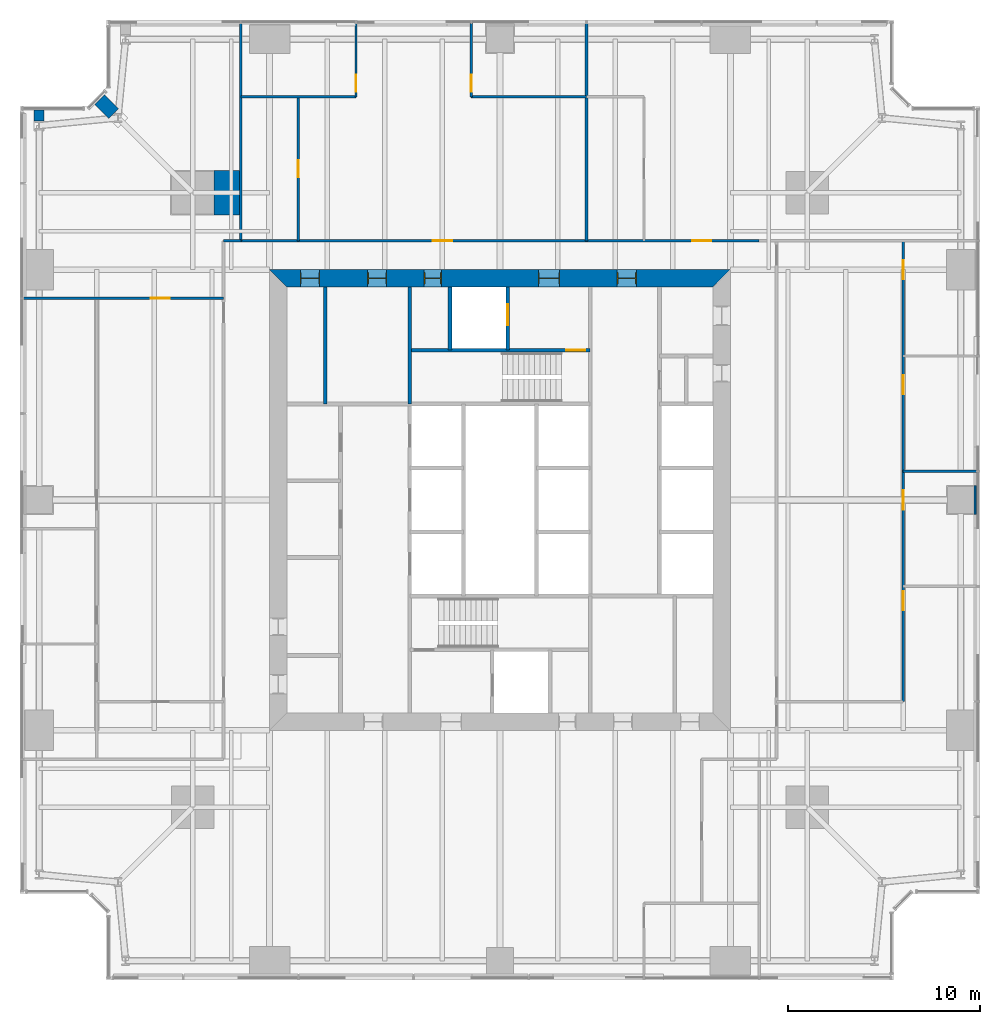
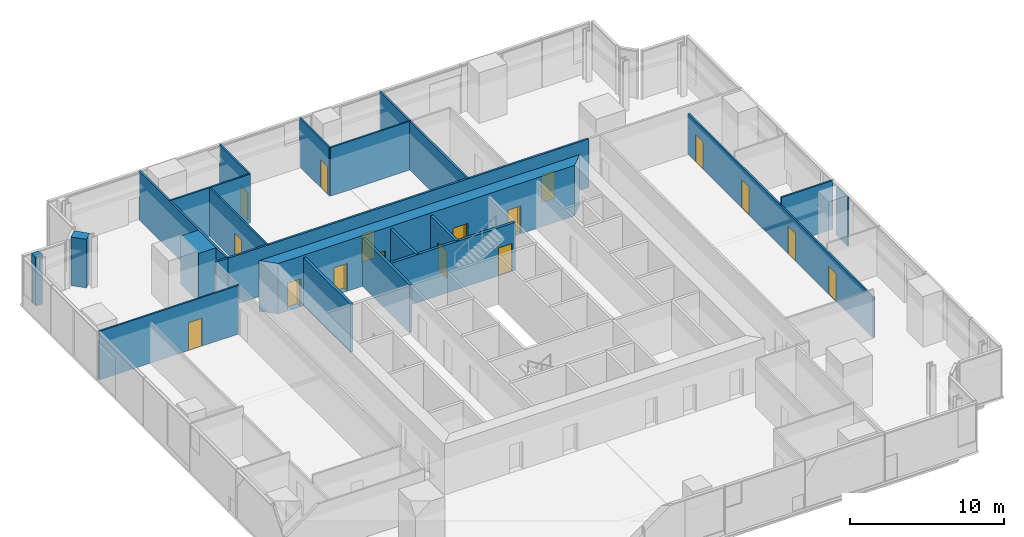
# One storey, part 11 of 14: 22 walls, 17 doors, 17 openings.
"""IFC4 building model written with IfcOpenShell, lengths in metres."""

from ifc_helpers import new_model, si_unit, direction, frame, frame_2d, origin, place, context, subcontext, project, spatial, polyline, rectangle, outline, extrude, material, layer, layer_set, type_object, element, fill, save


model = new_model("IFC4")

# Units and contexts
model_context = context("Model", 3, precision=1e-05, world=origin(), true_north=direction((0.0, 1.0)))
body_context = subcontext(model_context, "Body", "Model", "MODEL_VIEW")
ifc_project = project(units=[si_unit("LENGTHUNIT", "METRE"), si_unit("AREAUNIT", "SQUARE_METRE"), si_unit("VOLUMEUNIT", "CUBIC_METRE"), si_unit("PLANEANGLEUNIT", "RADIAN"), si_unit("MASSUNIT", "GRAM", prefix="KILO")], contexts=[model_context])

# Site, building, storey
site_placement = place(None, origin())
site = spatial("IfcSite", under=ifc_project, at=site_placement, CompositionType="ELEMENT")
building_placement = place(site_placement, origin())
building = spatial("IfcBuilding", under=site, at=building_placement, Name="Fenwick Lantern Interchange", CompositionType="ELEMENT")
storey_placement = place(building_placement, frame((0.0, 0.0, 118.39990234375)))
storey = spatial("IfcBuildingStorey", under=building, at=storey_placement, Name="L27", CompositionType="ELEMENT", Elevation=118.39990234375)

# Walls
ifc_material_1 = material(Name="Fire-rated gypsum board encasement on steel studs, 2 hour", Category="steel")
ifc_layer_1 = layer(ifc_material_1, 1.5)
ifc_layer_set_1 = layer_set([ifc_layer_1], Name="COLUMN PIER 1500")
wall_type_1 = type_object("IfcWallType", Name="COLUMN PIER 1500", PredefinedType="PARTITIONING", material=ifc_layer_set_1)
wall_1_placement = place(storey_placement, frame((49.800048828125, 25.0, 0.0), z_axis=(0.0, 0.0, 1.0), x_axis=(-1.0, 0.0, 0.0)))
element("IfcWall", 1, at=wall_1_placement, inside=storey, type_object=wall_type_1, Name="L27/W/PIER/CE3", PredefinedType="PARTITIONING", context=body_context, shape_type="SweptSolid", body=[
    extrude(rectangle(XDim=0.10009765625, YDim=1.5, at=frame_2d((0.050048828125, 0.0))), origin(), (0.0, 0.0, 1.0), 3.85009765625),
])
ifc_layer_2 = layer(ifc_material_1, 2.300048828125)
ifc_layer_set_2 = layer_set([ifc_layer_2], Name="COLUMN PIER 2300")
wall_type_2 = type_object("IfcWallType", Name="COLUMN PIER 2300", PredefinedType="PARTITIONING", material=ifc_layer_set_2)
wall_2_placement = place(storey_placement, frame((11.425048828125, 41.0, 0.0), z_axis=(0.0, 0.0, 1.0), x_axis=(-1.0, 0.0, 0.0)))
element("IfcWall", 2, at=wall_2_placement, inside=storey, type_object=wall_type_2, Name="L27/W/PIER/M4", PredefinedType="PARTITIONING", context=body_context, shape_type="SweptSolid", body=[
    extrude(rectangle(XDim=1.324951171875, YDim=2.300048828125, at=frame_2d((0.66259765625, 0.0))), origin(), (0.0, 0.0, 1.0), 3.85009765625),
])
ifc_layer_3 = layer(ifc_material_1, 0.52392578125)
ifc_layer_set_3 = layer_set([ifc_layer_3], Name="COLUMN PIER 524")
wall_type_3 = type_object("IfcWallType", Name="COLUMN PIER 524", PredefinedType="PARTITIONING", material=ifc_layer_set_3)
wall_3_placement = place(storey_placement, frame((1.0, 45.300048828125, 0.0), z_axis=(0.0, 0.0, 1.0), x_axis=(0.0, -1.0, 0.0)))
element("IfcWall", 3, at=wall_3_placement, inside=storey, type_object=wall_type_3, Name="L27/W/PIER/CW1", PredefinedType="PARTITIONING", context=body_context, shape_type="SweptSolid", body=[
    extrude(rectangle(XDim=0.5625, YDim=0.52392578125, at=frame_2d((0.28125, 0.0))), origin(), (0.0, 0.0, 1.0), 3.85009765625),
])
ifc_layer_4 = layer(ifc_material_1, 0.736083984375)
ifc_layer_set_4 = layer_set([ifc_layer_4], Name="COLUMN PIER 736")
wall_type_4 = type_object("IfcWallType", Name="COLUMN PIER 736", PredefinedType="PARTITIONING", material=ifc_layer_set_4)
wall_4_placement = place(storey_placement, frame((4.141357421875, 45.858642578125, 0.0), z_axis=(0.0, 0.0, 1.0), x_axis=(0.707106781187, -0.707106781187, 0.0)))
element("IfcWall", 4, at=wall_4_placement, inside=storey, type_object=wall_type_4, Name="L27/W/PIER/CNR", PredefinedType="PARTITIONING", context=body_context, shape_type="SweptSolid", body=[
    extrude(rectangle(XDim=1.037841796875, YDim=0.736083984375, at=frame_2d((0.51904296875, 0.0))), origin(), (0.0, 0.0, 1.0), 3.85009765625),
])

# Wall, opening, door
ifc_material_2 = material(Name="Concrete masonry ASTM C90 Grade N", Category="masonry")
ifc_layer_5 = layer(ifc_material_2, 0.199951171875)
ifc_layer_set_5 = layer_set([ifc_layer_5], Name="Concrete masonry ASTM C90 Grade N")
wall_type_5 = type_object("IfcWallType", Name="CORE PARTITION 200", PredefinedType="PARTITIONING", material=ifc_layer_set_5)
wall_5_placement = place(storey_placement, frame((25.39990234375, 36.10009765625, 0.0), z_axis=(0.0, 0.0, 1.0), x_axis=(0.0, -1.0, 0.0)))
wall_5 = element("IfcWall", 5, at=wall_5_placement, inside=storey, type_object=wall_type_5, Name="L27/W/COREN/h1", PredefinedType="PARTITIONING", context=body_context, shape_type="SweptSolid", body=[
    extrude(rectangle(XDim=3.300048828125, YDim=0.199951171875, at=frame_2d((1.64990234375, 0.0))), origin(), (0.0, 0.0, 1.0), 3.800048828125),
])
opening_1_placement = place(wall_5_placement, frame((0.89990234375, 0.0, 0.0)))
opening_1 = element("IfcOpeningElement", 6, at=opening_1_placement, cuts=wall_5, Name="Opening LD-FL2", PredefinedType="OPENING", context=body_context, shape_type="SweptSolid", body=[
    extrude(rectangle(XDim=1.10009765625, YDim=2.199951171875, at=frame_2d((0.550048828125, 1.10009765625))), frame((0.0, 0.10986328125, 0.0), z_axis=(0.0, -1.0, 0.0), x_axis=(1.0, 0.0, 0.0)), (0.0, 0.0, 1.0), 0.219970703125),
])
ifc_material_3 = material(Name="Steel door and frame", Category="steel")
door_type_1 = type_object("IfcDoorType", Name="LIFT LANDING DOOR 1100 X 2200", OperationType="DOUBLE_DOOR_SLIDING", PredefinedType="DOOR", material=ifc_material_3)
door_1_placement = place(opening_1_placement, origin())
door_1 = element("IfcDoor", 7, at=door_1_placement, inside=storey, type_object=door_type_1, Name="Lift landing door FL2", OperationType="DOUBLE_DOOR_SLIDING", OverallHeight=2.199951171875, OverallWidth=1.10009765625, PredefinedType="DOOR", context=body_context, shape_type="SweptSolid", body=[
    extrude(rectangle(XDim=1.10009765625, YDim=2.199951171875, at=frame_2d((0.550048828125, 1.10009765625))), frame((0.0, 0.02490234375, 0.0), z_axis=(0.0, -1.0, 0.0), x_axis=(1.0, 0.0, 0.0)), (0.0, 0.0, 1.0), 0.050048828125),
])
fill(opening_1, door_1)

# Walls
wall_6_placement = place(storey_placement, frame((22.39990234375, 36.10009765625, 0.0), z_axis=(0.0, 0.0, 1.0), x_axis=(0.0, -1.0, 0.0)))
element("IfcWall", 8, at=wall_6_placement, inside=storey, type_object=wall_type_5, Name="L27/W/COREN/h2", PredefinedType="PARTITIONING", context=body_context, shape_type="SweptSolid", body=[
    extrude(rectangle(XDim=3.300048828125, YDim=0.199951171875, at=frame_2d((1.64990234375, 0.0))), origin(), (0.0, 0.0, 1.0), 3.800048828125),
])
wall_7_placement = place(storey_placement, frame((15.89990234375, 36.10009765625, 0.0), z_axis=(0.0, 0.0, 1.0), x_axis=(0.0, -1.0, 0.0)))
element("IfcWall", 9, at=wall_7_placement, inside=storey, type_object=wall_type_5, Name="L27/W/COREN/i2", PredefinedType="PARTITIONING", context=body_context, shape_type="SweptSolid", body=[
    extrude(rectangle(XDim=6.10009765625, YDim=0.199951171875, at=frame_2d((3.050048828125, 0.0))), origin(), (0.0, 0.0, 1.0), 3.800048828125),
])

# Wall, openings, doors
ifc_material_4 = material(Name="Concrete f'c 70 MPa", Category="concrete")
ifc_layer_6 = layer(ifc_material_4, 0.89990234375)
ifc_layer_set_6 = layer_set([ifc_layer_6], Name="CORE WALL 900")
wall_type_6 = type_object("IfcWallType", Name="CORE WALL 900", PredefinedType="SHEAR", material=ifc_layer_set_6)
wall_8_placement = place(storey_placement, frame((37.0, 36.550048828125, 0.0), z_axis=(0.0, 0.0, 1.0), x_axis=(-1.0, 0.0, 0.0)))
wall_8 = element("IfcWall", 10, at=wall_8_placement, inside=storey, type_object=wall_type_6, Name="L27/CORE/N", PredefinedType="SHEAR", context=body_context, shape_type="SweptSolid", body=[
    extrude(outline(polyline([(0.0, -0.449951171875), (24.0, -0.449951171875), (23.10009765625, 0.449951171875), (0.89990234375, 0.449951171875), (0.0, -0.449951171875)])), origin(), (0.0, 0.0, 1.0), 4.0),
])
opening_2_placement = place(wall_8_placement, frame((4.89990234375, 0.0, 0.0)))
opening_2 = element("IfcOpeningElement", 11, at=opening_2_placement, cuts=wall_8, Name="Opening L27-D011", PredefinedType="OPENING", context=body_context, shape_type="SweptSolid", body=[
    extrude(rectangle(XDim=1.0, YDim=2.199951171875, at=frame_2d((0.5, 1.10009765625))), frame((0.0, 0.4599609375, 0.0), z_axis=(0.0, -1.0, 0.0), x_axis=(1.0, 0.0, 0.0)), (0.0, 0.0, 1.0), 0.919921875),
])
opening_3_placement = place(wall_8_placement, frame((8.89990234375, 0.0, 0.0)))
opening_3 = element("IfcOpeningElement", 12, at=opening_3_placement, cuts=wall_8, Name="Opening L27-D012", PredefinedType="OPENING", context=body_context, shape_type="SweptSolid", body=[
    extrude(rectangle(XDim=1.10009765625, YDim=2.199951171875, at=frame_2d((0.550048828125, 1.10009765625))), frame((0.0, 0.4599609375, 0.0), z_axis=(0.0, -1.0, 0.0), x_axis=(1.0, 0.0, 0.0)), (0.0, 0.0, 1.0), 0.919921875),
])
opening_4_placement = place(wall_8_placement, frame((15.050048828125, 0.0, 0.0)))
opening_4 = element("IfcOpeningElement", 13, at=opening_4_placement, cuts=wall_8, Name="Opening L27-D014", PredefinedType="OPENING", context=body_context, shape_type="SweptSolid", body=[
    extrude(rectangle(XDim=0.89990234375, YDim=2.199951171875, at=frame_2d((0.449951171875, 1.10009765625))), frame((0.0, 0.4599609375, 0.0), z_axis=(0.0, -1.0, 0.0), x_axis=(1.0, 0.0, 0.0)), (0.0, 0.0, 1.0), 0.919921875),
])
opening_5_placement = place(wall_8_placement, frame((17.89990234375, 0.0, 0.0)))
opening_5 = element("IfcOpeningElement", 14, at=opening_5_placement, cuts=wall_8, Name="Opening L27-D015", PredefinedType="OPENING", context=body_context, shape_type="SweptSolid", body=[
    extrude(rectangle(XDim=1.0, YDim=2.199951171875, at=frame_2d((0.5, 1.10009765625))), frame((0.0, 0.4599609375, 0.0), z_axis=(0.0, -1.0, 0.0), x_axis=(1.0, 0.0, 0.0)), (0.0, 0.0, 1.0), 0.919921875),
])
opening_6_placement = place(wall_8_placement, frame((21.39990234375, 0.0, 0.0)))
opening_6 = element("IfcOpeningElement", 15, at=opening_6_placement, cuts=wall_8, Name="Opening L27-D016", PredefinedType="OPENING", context=body_context, shape_type="SweptSolid", body=[
    extrude(rectangle(XDim=1.0, YDim=2.199951171875, at=frame_2d((0.5, 1.10009765625))), frame((0.0, 0.4599609375, 0.0), z_axis=(0.0, -1.0, 0.0), x_axis=(1.0, 0.0, 0.0)), (0.0, 0.0, 1.0), 0.919921875),
])
door_type_2 = type_object("IfcDoorType", Name="CORE LOBBY DOOR 1000 X 2200", OperationType="SINGLE_SWING_LEFT", PredefinedType="DOOR", material=ifc_material_3)
door_2_placement = place(opening_2_placement, origin())
door_2 = element("IfcDoor", 16, at=door_2_placement, inside=storey, type_object=door_type_2, Name="Core lobby door", OperationType="SINGLE_SWING_LEFT", OverallHeight=2.199951171875, OverallWidth=1.0, PredefinedType="DOOR", context=body_context, shape_type="SweptSolid", body=[
    extrude(rectangle(XDim=1.0, YDim=2.199951171875, at=frame_2d((0.5, 1.10009765625))), frame((0.0, 0.02490234375, 0.0), z_axis=(0.0, -1.0, 0.0), x_axis=(1.0, 0.0, 0.0)), (0.0, 0.0, 1.0), 0.050048828125),
    extrude(outline(polyline([(0.0, 0.0), (0.0400390625, 0.0), (0.0400390625, 2.159912109375), (0.9599609375, 2.159912109375), (0.9599609375, 0.0), (1.0, 0.0), (1.0, 2.199951171875), (0.0, 2.199951171875), (0.0, 0.0)])), frame((0.0, 0.300048828125, 0.0), z_axis=(0.0, -1.0, 0.0), x_axis=(1.0, 0.0, 0.0)), (0.0, 0.0, 1.0), 0.60009765625),
])
fill(opening_2, door_2)
door_type_3 = type_object("IfcDoorType", Name="FIRE LOBBY DOOR 1100 X 2200", OperationType="SINGLE_SWING_LEFT", PredefinedType="DOOR", material=ifc_material_3)
door_3_placement = place(opening_3_placement, origin())
door_3 = element("IfcDoor", 17, at=door_3_placement, inside=storey, type_object=door_type_3, Name="Fire lobby door", OperationType="SINGLE_SWING_LEFT", OverallHeight=2.199951171875, OverallWidth=1.10009765625, PredefinedType="DOOR", context=body_context, shape_type="SweptSolid", body=[
    extrude(rectangle(XDim=1.10009765625, YDim=2.199951171875, at=frame_2d((0.550048828125, 1.10009765625))), frame((0.0, 0.02490234375, 0.0), z_axis=(0.0, -1.0, 0.0), x_axis=(1.0, 0.0, 0.0)), (0.0, 0.0, 1.0), 0.050048828125),
    extrude(outline(polyline([(0.0, 0.0), (0.0400390625, 0.0), (0.0400390625, 2.159912109375), (1.06005859375, 2.159912109375), (1.06005859375, 0.0), (1.10009765625, 0.0), (1.10009765625, 2.199951171875), (0.0, 2.199951171875), (0.0, 0.0)])), frame((0.0, 0.300048828125, 0.0), z_axis=(0.0, -1.0, 0.0), x_axis=(1.0, 0.0, 0.0)), (0.0, 0.0, 1.0), 0.60009765625),
])
fill(opening_3, door_3)
door_type_4 = type_object("IfcDoorType", Name="SERVICE DOOR 900 X 2200", OperationType="SINGLE_SWING_LEFT", PredefinedType="DOOR", material=ifc_material_3)
door_4_placement = place(opening_4_placement, origin())
door_4 = element("IfcDoor", 18, at=door_4_placement, inside=storey, type_object=door_type_4, Name="Service door", OperationType="SINGLE_SWING_LEFT", OverallHeight=2.199951171875, OverallWidth=0.89990234375, PredefinedType="DOOR", context=body_context, shape_type="SweptSolid", body=[
    extrude(rectangle(XDim=0.89990234375, YDim=2.199951171875, at=frame_2d((0.449951171875, 1.10009765625))), frame((0.0, 0.02490234375, 0.0), z_axis=(0.0, -1.0, 0.0), x_axis=(1.0, 0.0, 0.0)), (0.0, 0.0, 1.0), 0.050048828125),
    extrude(outline(polyline([(0.0, 0.0), (0.0400390625, 0.0), (0.0400390625, 2.159912109375), (0.85986328125, 2.159912109375), (0.85986328125, 0.0), (0.89990234375, 0.0), (0.89990234375, 2.199951171875), (0.0, 2.199951171875), (0.0, 0.0)])), frame((0.0, 0.300048828125, 0.0), z_axis=(0.0, -1.0, 0.0), x_axis=(1.0, 0.0, 0.0)), (0.0, 0.0, 1.0), 0.60009765625),
])
fill(opening_4, door_4)
ifc_material_5 = material(Name="Hardwood door and steel frame", Category="steel")
door_type_5 = type_object("IfcDoorType", Name="WC DOOR 1000 X 2200", OperationType="SINGLE_SWING_LEFT", PredefinedType="DOOR", material=ifc_material_5)
door_5_placement = place(opening_5_placement, origin())
door_5 = element("IfcDoor", 19, at=door_5_placement, inside=storey, type_object=door_type_5, Name="Wc door", OperationType="SINGLE_SWING_LEFT", OverallHeight=2.199951171875, OverallWidth=1.0, PredefinedType="DOOR", context=body_context, shape_type="SweptSolid", body=[
    extrude(rectangle(XDim=1.0, YDim=2.199951171875, at=frame_2d((0.5, 1.10009765625))), frame((0.0, 0.02490234375, 0.0), z_axis=(0.0, -1.0, 0.0), x_axis=(1.0, 0.0, 0.0)), (0.0, 0.0, 1.0), 0.050048828125),
    extrude(outline(polyline([(0.0, 0.0), (0.0400390625, 0.0), (0.0400390625, 2.159912109375), (0.9599609375, 2.159912109375), (0.9599609375, 0.0), (1.0, 0.0), (1.0, 2.199951171875), (0.0, 2.199951171875), (0.0, 0.0)])), frame((0.0, 0.300048828125, 0.0), z_axis=(0.0, -1.0, 0.0), x_axis=(1.0, 0.0, 0.0)), (0.0, 0.0, 1.0), 0.60009765625),
])
fill(opening_5, door_5)
door_6_placement = place(opening_6_placement, origin())
door_6 = element("IfcDoor", 20, at=door_6_placement, inside=storey, type_object=door_type_5, Name="Wc door", OperationType="SINGLE_SWING_LEFT", OverallHeight=2.199951171875, OverallWidth=1.0, PredefinedType="DOOR", context=body_context, shape_type="SweptSolid", body=[
    extrude(rectangle(XDim=1.0, YDim=2.199951171875, at=frame_2d((0.5, 1.10009765625))), frame((0.0, 0.02490234375, 0.0), z_axis=(0.0, -1.0, 0.0), x_axis=(1.0, 0.0, 0.0)), (0.0, 0.0, 1.0), 0.050048828125),
    extrude(outline(polyline([(0.0, 0.0), (0.0400390625, 0.0), (0.0400390625, 2.159912109375), (0.9599609375, 2.159912109375), (0.9599609375, 0.0), (1.0, 0.0), (1.0, 2.199951171875), (0.0, 2.199951171875), (0.0, 0.0)])), frame((0.0, 0.300048828125, 0.0), z_axis=(0.0, -1.0, 0.0), x_axis=(1.0, 0.0, 0.0)), (0.0, 0.0, 1.0), 0.60009765625),
])
fill(opening_6, door_6)

ifc_material_6 = material(Name="Gypsum board on steel studs, 1 hour", Category="steel")
ifc_layer_7 = layer(ifc_material_6, 0.14990234375)
ifc_layer_set_7 = layer_set([ifc_layer_7], Name="CORRIDOR WALL 150")
wall_type_7 = type_object("IfcWallType", Name="CORRIDOR WALL 150", PredefinedType="PARTITIONING", material=ifc_layer_set_7)
wall_9_placement = place(storey_placement, frame((38.5, 38.5, 0.0), z_axis=(0.0, 0.0, 1.0), x_axis=(-1.0, 0.0, 0.0)))
wall_9 = element("IfcWall", 21, at=wall_9_placement, inside=storey, type_object=wall_type_7, Name="L27/W/OFF/N/CW", PredefinedType="PARTITIONING", context=body_context, shape_type="SweptSolid", body=[
    extrude(rectangle(XDim=27.0, YDim=0.14990234375, at=frame_2d((13.5, 0.0))), origin(), (0.0, 0.0, 1.0), 3.85009765625),
])
opening_7_placement = place(wall_9_placement, frame((2.5, 0.0, 0.0)))
opening_7 = element("IfcOpeningElement", 22, at=opening_7_placement, cuts=wall_9, Name="Opening L27-D029", PredefinedType="OPENING", context=body_context, shape_type="SweptSolid", body=[
    extrude(rectangle(XDim=1.0, YDim=2.199951171875, at=frame_2d((0.5, 1.10009765625))), frame((0.0, 0.0849609375, 0.0), z_axis=(0.0, -1.0, 0.0), x_axis=(1.0, 0.0, 0.0)), (0.0, 0.0, 1.0), 0.169921875),
])
opening_8_placement = place(wall_9_placement, frame((16.0, 0.0, 0.0)))
opening_8 = element("IfcOpeningElement", 23, at=opening_8_placement, cuts=wall_9, Name="Opening L27-D031", PredefinedType="OPENING", context=body_context, shape_type="SweptSolid", body=[
    extrude(rectangle(XDim=1.0, YDim=2.199951171875, at=frame_2d((0.5, 1.10009765625))), frame((0.0, 0.0849609375, 0.0), z_axis=(0.0, -1.0, 0.0), x_axis=(1.0, 0.0, 0.0)), (0.0, 0.0, 1.0), 0.169921875),
])
door_type_6 = type_object("IfcDoorType", Name="SUITE ENTRANCE DOOR 1000 X 2200", OperationType="SINGLE_SWING_LEFT", PredefinedType="DOOR", material=ifc_material_3)
door_7_placement = place(opening_7_placement, frame((1.0, 0.0, 0.0), z_axis=(0.0, 0.0, 1.0), x_axis=(-1.0, 0.0, 0.0)))
door_7 = element("IfcDoor", 24, at=door_7_placement, inside=storey, type_object=door_type_6, Name="Suite entrance door", OperationType="SINGLE_SWING_LEFT", OverallHeight=2.199951171875, OverallWidth=1.0, PredefinedType="DOOR", context=body_context, shape_type="SweptSolid", body=[
    extrude(rectangle(XDim=1.0, YDim=2.199951171875, at=frame_2d((0.5, 1.10009765625))), frame((0.0, 0.02490234375, 0.0), z_axis=(0.0, -1.0, 0.0), x_axis=(1.0, 0.0, 0.0)), (0.0, 0.0, 1.0), 0.050048828125),
])
fill(opening_7, door_7)
door_8_placement = place(opening_8_placement, frame((1.0, 0.0, 0.0), z_axis=(0.0, 0.0, 1.0), x_axis=(-1.0, 0.0, 0.0)))
door_8 = element("IfcDoor", 25, at=door_8_placement, inside=storey, type_object=door_type_6, Name="Suite entrance door", OperationType="SINGLE_SWING_RIGHT", OverallHeight=2.199951171875, OverallWidth=1.0, PredefinedType="DOOR", context=body_context, shape_type="SweptSolid", body=[
    extrude(rectangle(XDim=1.0, YDim=2.199951171875, at=frame_2d((0.5, 1.10009765625))), frame((0.0, 0.02490234375, 0.0), z_axis=(0.0, -1.0, 0.0), x_axis=(1.0, 0.0, 0.0)), (0.0, 0.0, 1.0), 0.050048828125),
])
fill(opening_8, door_8)

# Walls
wall_10_placement = place(storey_placement, frame((11.5, 38.5, 0.0), z_axis=(0.0, 0.0, 1.0), x_axis=(-1.0, 0.0, 0.0)))
element("IfcWall", 26, at=wall_10_placement, inside=storey, type_object=wall_type_7, Name="L27/W/OFF/W/CWJ", PredefinedType="PARTITIONING", context=body_context, shape_type="SweptSolid", body=[
    extrude(rectangle(XDim=0.89990234375, YDim=0.14990234375, at=frame_2d((0.449951171875, 0.0))), origin(), (0.0, 0.0, 1.0), 3.85009765625),
])
ifc_material_7 = material(Name="Gypsum board on steel studs, acoustic", Category="steel")
ifc_layer_8 = layer(ifc_material_7, 0.125)
ifc_layer_set_8 = layer_set([ifc_layer_8], Name="OFFICE PARTITION 125")
wall_type_8 = type_object("IfcWallType", Name="OFFICE PARTITION 125", PredefinedType="PARTITIONING", material=ifc_layer_set_8)
wall_11_placement = place(storey_placement, frame((49.85009765625, 26.5, 0.0), z_axis=(0.0, 0.0, 1.0), x_axis=(-1.0, 0.0, 0.0)))
element("IfcWall", 27, at=wall_11_placement, inside=storey, type_object=wall_type_8, Name="L27/W/OFF/E/X265-1", PredefinedType="PARTITIONING", context=body_context, shape_type="SweptSolid", body=[
    extrude(rectangle(XDim=3.85009765625, YDim=0.125, at=frame_2d((1.925048828125, 0.0))), origin(), (0.0, 0.0, 1.0), 3.85009765625),
])

# Wall, openings, doors
wall_12_placement = place(storey_placement, frame((46.0, 14.5, 0.0), z_axis=(0.0, 0.0, 1.0), x_axis=(0.0, 1.0, 0.0)))
wall_12 = element("IfcWall", 28, at=wall_12_placement, inside=storey, type_object=wall_type_8, Name="L27/W/OFF/E/Y40-1", PredefinedType="PARTITIONING", context=body_context, shape_type="SweptSolid", body=[
    extrude(rectangle(XDim=24.0, YDim=0.125, at=frame_2d((12.0, 0.0))), origin(), (0.0, 0.0, 1.0), 3.238037109375),
])
opening_9_placement = place(wall_12_placement, frame((4.75, 0.0, 0.0)))
opening_9 = element("IfcOpeningElement", 29, at=opening_9_placement, cuts=wall_12, Name="Opening L27-D024", PredefinedType="OPENING", context=body_context, shape_type="SweptSolid", body=[
    extrude(rectangle(XDim=1.0, YDim=2.199951171875, at=frame_2d((0.5, 1.10009765625))), frame((0.0, 0.072509765625, 0.0), z_axis=(0.0, -1.0, 0.0), x_axis=(1.0, 0.0, 0.0)), (0.0, 0.0, 1.0), 0.14501953125),
])
opening_10_placement = place(wall_12_placement, frame((10.0, 0.0, 0.0)))
opening_10 = element("IfcOpeningElement", 30, at=opening_10_placement, cuts=wall_12, Name="Opening L27-D026", PredefinedType="OPENING", context=body_context, shape_type="SweptSolid", body=[
    extrude(rectangle(XDim=1.0, YDim=2.199951171875, at=frame_2d((0.5, 1.10009765625))), frame((0.0, 0.072509765625, 0.0), z_axis=(0.0, -1.0, 0.0), x_axis=(1.0, 0.0, 0.0)), (0.0, 0.0, 1.0), 0.14501953125),
])
opening_11_placement = place(wall_12_placement, frame((16.0, 0.0, 0.0)))
opening_11 = element("IfcOpeningElement", 31, at=opening_11_placement, cuts=wall_12, Name="Opening L27-D027", PredefinedType="OPENING", context=body_context, shape_type="SweptSolid", body=[
    extrude(rectangle(XDim=1.0, YDim=2.199951171875, at=frame_2d((0.5, 1.10009765625))), frame((0.0, 0.072509765625, 0.0), z_axis=(0.0, -1.0, 0.0), x_axis=(1.0, 0.0, 0.0)), (0.0, 0.0, 1.0), 0.14501953125),
])
opening_12_placement = place(wall_12_placement, frame((22.0, 0.0, 0.0)))
opening_12 = element("IfcOpeningElement", 32, at=opening_12_placement, cuts=wall_12, Name="Opening L27-D028", PredefinedType="OPENING", context=body_context, shape_type="SweptSolid", body=[
    extrude(rectangle(XDim=1.0, YDim=2.199951171875, at=frame_2d((0.5, 1.10009765625))), frame((0.0, 0.072509765625, 0.0), z_axis=(0.0, -1.0, 0.0), x_axis=(1.0, 0.0, 0.0)), (0.0, 0.0, 1.0), 0.14501953125),
])
door_type_7 = type_object("IfcDoorType", Name="MEETING ROOM DOOR 1000 X 2200", OperationType="SINGLE_SWING_LEFT", PredefinedType="DOOR", material=ifc_material_5)
door_9_placement = place(opening_9_placement, origin())
door_9 = element("IfcDoor", 33, at=door_9_placement, inside=storey, type_object=door_type_7, Name="Meeting room door", OperationType="SINGLE_SWING_LEFT", OverallHeight=2.199951171875, OverallWidth=1.0, PredefinedType="DOOR", context=body_context, shape_type="SweptSolid", body=[
    extrude(rectangle(XDim=1.0, YDim=2.199951171875, at=frame_2d((0.5, 1.10009765625))), frame((0.0, 0.02490234375, 0.0), z_axis=(0.0, -1.0, 0.0), x_axis=(1.0, 0.0, 0.0)), (0.0, 0.0, 1.0), 0.050048828125),
])
fill(opening_9, door_9)
door_10_placement = place(opening_10_placement, frame((1.0, 0.0, 0.0), z_axis=(0.0, 0.0, 1.0), x_axis=(-1.0, 0.0, 0.0)))
door_10 = element("IfcDoor", 34, at=door_10_placement, inside=storey, type_object=door_type_7, Name="Meeting room door", OperationType="SINGLE_SWING_LEFT", OverallHeight=2.199951171875, OverallWidth=1.0, PredefinedType="DOOR", context=body_context, shape_type="SweptSolid", body=[
    extrude(rectangle(XDim=1.0, YDim=2.199951171875, at=frame_2d((0.5, 1.10009765625))), frame((0.0, 0.02490234375, 0.0), z_axis=(0.0, -1.0, 0.0), x_axis=(1.0, 0.0, 0.0)), (0.0, 0.0, 1.0), 0.050048828125),
])
fill(opening_10, door_10)
door_11_placement = place(opening_11_placement, frame((1.0, 0.0, 0.0), z_axis=(0.0, 0.0, 1.0), x_axis=(-1.0, 0.0, 0.0)))
door_11 = element("IfcDoor", 35, at=door_11_placement, inside=storey, type_object=door_type_7, Name="Meeting room door", OperationType="SINGLE_SWING_LEFT", OverallHeight=2.199951171875, OverallWidth=1.0, PredefinedType="DOOR", context=body_context, shape_type="SweptSolid", body=[
    extrude(rectangle(XDim=1.0, YDim=2.199951171875, at=frame_2d((0.5, 1.10009765625))), frame((0.0, 0.02490234375, 0.0), z_axis=(0.0, -1.0, 0.0), x_axis=(1.0, 0.0, 0.0)), (0.0, 0.0, 1.0), 0.050048828125),
])
fill(opening_11, door_11)
door_12_placement = place(opening_12_placement, frame((1.0, 0.0, 0.0), z_axis=(0.0, 0.0, 1.0), x_axis=(-1.0, 0.0, 0.0)))
door_12 = element("IfcDoor", 36, at=door_12_placement, inside=storey, type_object=door_type_7, Name="Meeting room door", OperationType="SINGLE_SWING_LEFT", OverallHeight=2.199951171875, OverallWidth=1.0, PredefinedType="DOOR", context=body_context, shape_type="SweptSolid", body=[
    extrude(rectangle(XDim=1.0, YDim=2.199951171875, at=frame_2d((0.5, 1.10009765625))), frame((0.0, 0.02490234375, 0.0), z_axis=(0.0, -1.0, 0.0), x_axis=(1.0, 0.0, 0.0)), (0.0, 0.0, 1.0), 0.050048828125),
])
fill(opening_12, door_12)

# Wall, opening, door
wall_13_placement = place(storey_placement, frame((23.5, 49.85009765625, 0.0), z_axis=(0.0, 0.0, 1.0), x_axis=(0.0, -1.0, 0.0)))
wall_13 = element("IfcWall", 37, at=wall_13_placement, inside=storey, type_object=wall_type_8, Name="L27/W/OFF/N/X265-1", PredefinedType="PARTITIONING", context=body_context, shape_type="SweptSolid", body=[
    extrude(rectangle(XDim=3.85009765625, YDim=0.125, at=frame_2d((1.925048828125, 0.0))), origin(), (0.0, 0.0, 1.0), 3.85009765625),
])
opening_13_placement = place(wall_13_placement, frame((2.699951171875, 0.0, 0.0)))
opening_13 = element("IfcOpeningElement", 38, at=opening_13_placement, cuts=wall_13, Name="Opening L27-D032", PredefinedType="OPENING", context=body_context, shape_type="SweptSolid", body=[
    extrude(rectangle(XDim=0.89990234375, YDim=2.199951171875, at=frame_2d((0.449951171875, 1.10009765625))), frame((0.0, 0.072509765625, 0.0), z_axis=(0.0, -1.0, 0.0), x_axis=(1.0, 0.0, 0.0)), (0.0, 0.0, 1.0), 0.14501953125),
])
door_type_8 = type_object("IfcDoorType", Name="OFFICE DOOR 900 X 2200", OperationType="SINGLE_SWING_LEFT", PredefinedType="DOOR", material=ifc_material_5)
door_13_placement = place(opening_13_placement, origin())
door_13 = element("IfcDoor", 39, at=door_13_placement, inside=storey, type_object=door_type_8, Name="Office door", OperationType="SINGLE_SWING_RIGHT", OverallHeight=2.199951171875, OverallWidth=0.89990234375, PredefinedType="DOOR", context=body_context, shape_type="SweptSolid", body=[
    extrude(rectangle(XDim=0.89990234375, YDim=2.199951171875, at=frame_2d((0.449951171875, 1.10009765625))), frame((0.0, 0.02490234375, 0.0), z_axis=(0.0, -1.0, 0.0), x_axis=(1.0, 0.0, 0.0)), (0.0, 0.0, 1.0), 0.050048828125),
])
fill(opening_13, door_13)

wall_14_placement = place(storey_placement, frame((17.5, 49.85009765625, 0.0), z_axis=(0.0, 0.0, 1.0), x_axis=(0.0, -1.0, 0.0)))
wall_14 = element("IfcWall", 40, at=wall_14_placement, inside=storey, type_object=wall_type_8, Name="L27/W/OFF/N/X325-1", PredefinedType="PARTITIONING", context=body_context, shape_type="SweptSolid", body=[
    extrude(rectangle(XDim=3.85009765625, YDim=0.125, at=frame_2d((1.925048828125, 0.0))), origin(), (0.0, 0.0, 1.0), 3.85009765625),
])
opening_14_placement = place(wall_14_placement, frame((2.699951171875, 0.0, 0.0)))
opening_14 = element("IfcOpeningElement", 41, at=opening_14_placement, cuts=wall_14, Name="Opening L27-D033", PredefinedType="OPENING", context=body_context, shape_type="SweptSolid", body=[
    extrude(rectangle(XDim=0.89990234375, YDim=2.199951171875, at=frame_2d((0.449951171875, 1.10009765625))), frame((0.0, 0.072509765625, 0.0), z_axis=(0.0, -1.0, 0.0), x_axis=(1.0, 0.0, 0.0)), (0.0, 0.0, 1.0), 0.14501953125),
])
door_14_placement = place(opening_14_placement, frame((0.89990234375, 0.0, 0.0), z_axis=(0.0, 0.0, 1.0), x_axis=(-1.0, 0.0, 0.0)))
door_14 = element("IfcDoor", 42, at=door_14_placement, inside=storey, type_object=door_type_8, Name="Office door", OperationType="SINGLE_SWING_LEFT", OverallHeight=2.199951171875, OverallWidth=0.89990234375, PredefinedType="DOOR", context=body_context, shape_type="SweptSolid", body=[
    extrude(rectangle(XDim=0.89990234375, YDim=2.199951171875, at=frame_2d((0.449951171875, 1.10009765625))), frame((0.0, 0.02490234375, 0.0), z_axis=(0.0, -1.0, 0.0), x_axis=(1.0, 0.0, 0.0)), (0.0, 0.0, 1.0), 0.050048828125),
])
fill(opening_14, door_14)

wall_15_placement = place(storey_placement, frame((14.5, 46.0, 0.0), z_axis=(0.0, 0.0, 1.0), x_axis=(0.0, -1.0, 0.0)))
wall_15 = element("IfcWall", 43, at=wall_15_placement, inside=storey, type_object=wall_type_8, Name="L27/W/OFF/N/X355-1", PredefinedType="PARTITIONING", context=body_context, shape_type="SweptSolid", body=[
    extrude(rectangle(XDim=7.5, YDim=0.125, at=frame_2d((3.75, 0.0))), origin(), (0.0, 0.0, 1.0), 3.85009765625),
])
opening_15_placement = place(wall_15_placement, frame((3.300048828125, 0.0, 0.0)))
opening_15 = element("IfcOpeningElement", 44, at=opening_15_placement, cuts=wall_15, Name="Opening L27-D034", PredefinedType="OPENING", context=body_context, shape_type="SweptSolid", body=[
    extrude(rectangle(XDim=0.89990234375, YDim=2.199951171875, at=frame_2d((0.449951171875, 1.10009765625))), frame((0.0, 0.072509765625, 0.0), z_axis=(0.0, -1.0, 0.0), x_axis=(1.0, 0.0, 0.0)), (0.0, 0.0, 1.0), 0.14501953125),
])
door_15_placement = place(opening_15_placement, frame((0.89990234375, 0.0, 0.0), z_axis=(0.0, 0.0, 1.0), x_axis=(-1.0, 0.0, 0.0)))
door_15 = element("IfcDoor", 45, at=door_15_placement, inside=storey, type_object=door_type_8, Name="Office door", OperationType="SINGLE_SWING_RIGHT", OverallHeight=2.199951171875, OverallWidth=0.89990234375, PredefinedType="DOOR", context=body_context, shape_type="SweptSolid", body=[
    extrude(rectangle(XDim=0.89990234375, YDim=2.199951171875, at=frame_2d((0.449951171875, 1.10009765625))), frame((0.0, 0.02490234375, 0.0), z_axis=(0.0, -1.0, 0.0), x_axis=(1.0, 0.0, 0.0)), (0.0, 0.0, 1.0), 0.050048828125),
])
fill(opening_15, door_15)

# Walls
for number, where, z_axis, x_axis, name in (
    (46, (29.5, 46.0, 0.0), (0.0, 0.0, 1.0), (-1.0, 0.0, 0.0), "L27/W/OFF/N/Y40-2"),
    (47, (17.5, 46.0, 0.0), (0.0, 0.0, 1.0), (-1.0, 0.0, 0.0), "L27/W/OFF/N/Y40-3"),
):
    element("IfcWall", number, at=place(storey_placement, frame(where, z_axis=z_axis, x_axis=x_axis)), inside=storey, type_object=wall_type_8, Name=name, PredefinedType="PARTITIONING", context=body_context, shape_type="SweptSolid", body=[
        extrude(rectangle(XDim=6.0, YDim=0.125, at=frame_2d((3.0, 0.0))), origin(), (0.0, 0.0, 1.0), 3.85009765625),
    ])

# Wall, opening, door
wall_16_placement = place(storey_placement, frame((0.14990234375, 35.5, 0.0), z_axis=(0.0, 0.0, 1.0), x_axis=(1.0, 0.0, 0.0)))
wall_16 = element("IfcWall", 48, at=wall_16_placement, inside=storey, type_object=wall_type_8, Name="L27/W/OFF/W/X145-1", PredefinedType="PARTITIONING", context=body_context, shape_type="SweptSolid", body=[
    extrude(rectangle(XDim=10.4501953125, YDim=0.125, at=frame_2d((5.22509765625, 0.0))), origin(), (0.0, 0.0, 1.0), 3.85009765625),
])
opening_16_placement = place(wall_16_placement, frame((6.64990234375, 0.0, 0.0)))
opening_16 = element("IfcOpeningElement", 49, at=opening_16_placement, cuts=wall_16, Name="Opening L27-D037", PredefinedType="OPENING", context=body_context, shape_type="SweptSolid", body=[
    extrude(rectangle(XDim=1.0, YDim=2.199951171875, at=frame_2d((0.5, 1.10009765625))), frame((0.0, 0.072509765625, 0.0), z_axis=(0.0, -1.0, 0.0), x_axis=(1.0, 0.0, 0.0)), (0.0, 0.0, 1.0), 0.14501953125),
])
door_16_placement = place(opening_16_placement, origin())
door_16 = element("IfcDoor", 50, at=door_16_placement, inside=storey, type_object=door_type_7, Name="Meeting room door", OperationType="SINGLE_SWING_RIGHT", OverallHeight=2.199951171875, OverallWidth=1.0, PredefinedType="DOOR", context=body_context, shape_type="SweptSolid", body=[
    extrude(rectangle(XDim=1.0, YDim=2.199951171875, at=frame_2d((0.5, 1.10009765625))), frame((0.0, 0.02490234375, 0.0), z_axis=(0.0, -1.0, 0.0), x_axis=(1.0, 0.0, 0.0)), (0.0, 0.0, 1.0), 0.050048828125),
])
fill(opening_16, door_16)

ifc_material_8 = material(Name="Concrete f'c 45 MPa", Category="concrete")
ifc_layer_9 = layer(ifc_material_8, 0.199951171875)
ifc_layer_set_9 = layer_set([ifc_layer_9], Name="STAIR CORE WALL 200")
wall_type_9 = type_object("IfcWallType", Name="STAIR CORE WALL 200", PredefinedType="SOLIDWALL", material=ifc_layer_set_9)
wall_17_placement = place(storey_placement, frame((29.699951171875, 32.800048828125, 0.0), z_axis=(0.0, 0.0, 1.0), x_axis=(-1.0, 0.0, 0.0)))
wall_17 = element("IfcWall", 51, at=wall_17_placement, inside=storey, type_object=wall_type_9, Name="L27/W/COREN/g1", PredefinedType="SOLIDWALL", context=body_context, shape_type="SweptSolid", body=[
    extrude(rectangle(XDim=9.39990234375, YDim=0.199951171875, at=frame_2d((4.699951171875, 0.0))), origin(), (0.0, 0.0, 1.0), 3.800048828125),
])
opening_17_placement = place(wall_17_placement, frame((0.25, 0.0, 0.0)))
opening_17 = element("IfcOpeningElement", 52, at=opening_17_placement, cuts=wall_17, Name="Opening L27-D013", PredefinedType="OPENING", context=body_context, shape_type="SweptSolid", body=[
    extrude(rectangle(XDim=1.0, YDim=2.199951171875, at=frame_2d((0.5, 1.10009765625))), frame((0.0, 0.10986328125, 0.0), z_axis=(0.0, -1.0, 0.0), x_axis=(1.0, 0.0, 0.0)), (0.0, 0.0, 1.0), 0.219970703125),
])
door_type_9 = type_object("IfcDoorType", Name="STAIR DOOR 1000 X 2200", OperationType="SINGLE_SWING_LEFT", PredefinedType="DOOR", material=ifc_material_3)
door_17_placement = place(opening_17_placement, origin())
door_17 = element("IfcDoor", 53, at=door_17_placement, inside=storey, type_object=door_type_9, Name="Stair door", OperationType="SINGLE_SWING_LEFT", OverallHeight=2.199951171875, OverallWidth=1.0, PredefinedType="DOOR", context=body_context, shape_type="SweptSolid", body=[
    extrude(rectangle(XDim=1.0, YDim=2.199951171875, at=frame_2d((0.5, 1.10009765625))), frame((0.0, 0.02490234375, 0.0), z_axis=(0.0, -1.0, 0.0), x_axis=(1.0, 0.0, 0.0)), (0.0, 0.0, 1.0), 0.050048828125),
])
fill(opening_17, door_17)

# Walls
wall_18_placement = place(storey_placement, frame((20.300048828125, 36.10009765625, 0.0), z_axis=(0.0, 0.0, 1.0), x_axis=(0.0, -1.0, 0.0)))
element("IfcWall", 54, at=wall_18_placement, inside=storey, type_object=wall_type_9, Name="L27/W/COREN/i1", PredefinedType="SOLIDWALL", context=body_context, shape_type="SweptSolid", body=[
    extrude(rectangle(XDim=6.10009765625, YDim=0.199951171875, at=frame_2d((3.050048828125, 0.0))), origin(), (0.0, 0.0, 1.0), 3.800048828125),
])
ifc_material_9 = material(Name="Gypsum board on steel studs, 1 hour acoustic", Category="steel")
ifc_layer_10 = layer(ifc_material_9, 0.14990234375)
ifc_layer_set_10 = layer_set([ifc_layer_10], Name="TENANT WALL 150")
wall_type_10 = type_object("IfcWallType", Name="TENANT WALL 150", PredefinedType="PARTITIONING", material=ifc_layer_set_10)
for number, where, z_axis, x_axis, name in (
    (55, (29.5, 49.85009765625, 0.0), (0.0, 0.0, 1.0), (0.0, -1.0, 0.0), "L27/W/OFF/N/X205-1"),
    (56, (11.5, 49.85009765625, 0.0), (0.0, 0.0, 1.0), (0.0, -1.0, 0.0), "L27/W/OFF/W/BACK"),
):
    element("IfcWall", number, at=place(storey_placement, frame(where, z_axis=z_axis, x_axis=x_axis)), inside=storey, type_object=wall_type_10, Name=name, PredefinedType="PARTITIONING", context=body_context, shape_type="SweptSolid", body=[
        extrude(rectangle(XDim=11.35009765625, YDim=0.14990234375, at=frame_2d((5.675048828125, 0.0))), origin(), (0.0, 0.0, 1.0), 3.85009765625),
    ])

save(model, "model.ifc")
